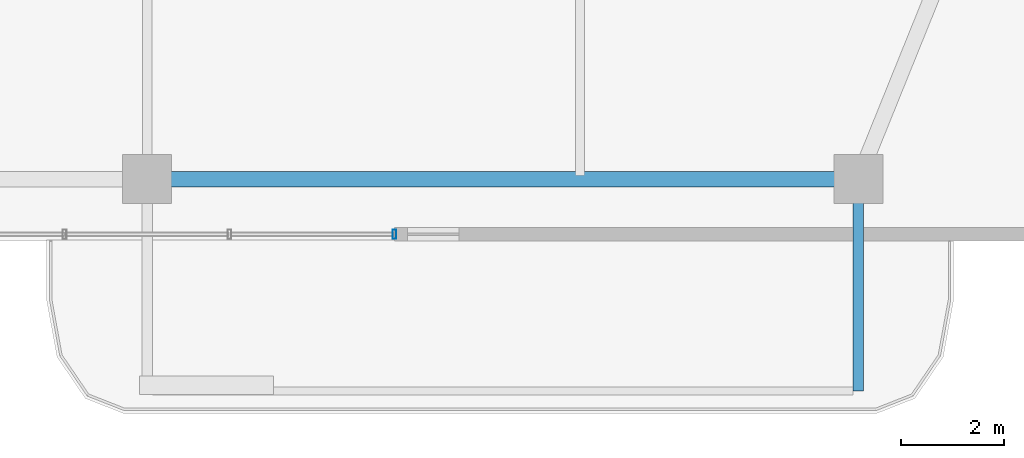
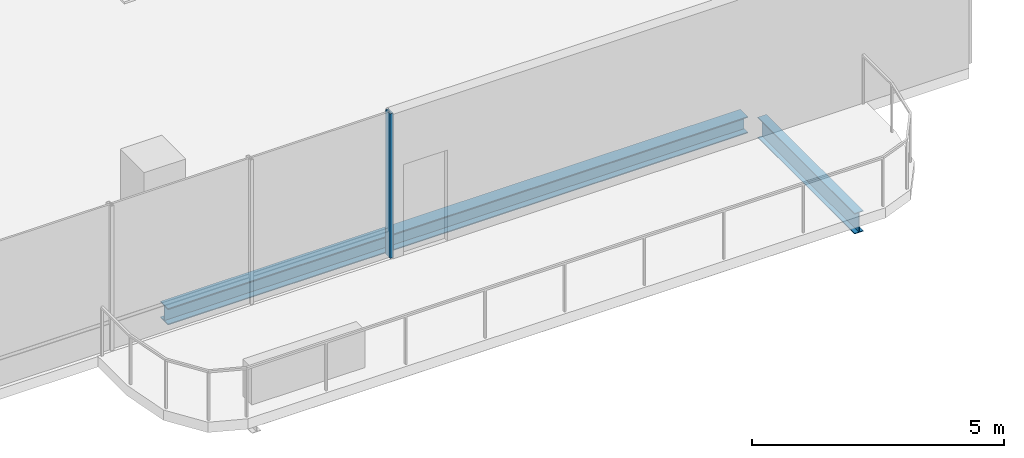
# One storey, part 8 of 24: 2 beams, 1 member, 1 element without a shape of its own.
"""IFC4 building model written with IfcOpenShell, lengths in metres."""

from ifc_helpers import new_model, si_unit, direction, frame, origin, origin_2d, place, context, subcontext, project, spatial, hollow_rectangle, i_section, extrude, material, layer, layer_set, material_profile, profile_set, type_object, element, aggregate, save


model = new_model("IFC4")

# Units and contexts
model_context = context("Model", 3, precision=1e-05, world=origin(), true_north=direction((0.0, 1.0)))
body_context = subcontext(model_context, "Body", "Model", "MODEL_VIEW")
ifc_project = project(units=[si_unit("LENGTHUNIT", "METRE"), si_unit("AREAUNIT", "SQUARE_METRE"), si_unit("VOLUMEUNIT", "CUBIC_METRE"), si_unit("PLANEANGLEUNIT", "RADIAN"), si_unit("MASSUNIT", "GRAM", prefix="KILO")], contexts=[model_context])

# Site, building, storey
site_placement = place(None, origin())
site = spatial("IfcSite", under=ifc_project, at=site_placement, CompositionType="ELEMENT")
building_placement = place(site_placement, origin())
building = spatial("IfcBuilding", under=site, at=building_placement, Name="Belovzor Exchange Tower", CompositionType="ELEMENT")
storey_placement = place(building_placement, frame((0.0, 0.0, 261.60009765625)))
storey = spatial("IfcBuildingStorey", under=building, at=storey_placement, Name="L65", CompositionType="ELEMENT", Elevation=261.60009765625)

# Beam
ifc_material_1 = material(Name="Steel S355", Category="steel")
ifc_material_profile_1 = material_profile(ifc_material_1, i_section(OverallWidth=0.199951171875, OverallDepth=0.5, WebThickness=0.01025390625, FlangeThickness=0.01611328125, at=origin_2d()))
ifc_profile_set_1 = profile_set([ifc_material_profile_1], Name="Steel S355")
beam_type_1 = type_object("IfcBeamType", Name="Planted Balcony Cantilever Beam IPE 500", PredefinedType="BEAM", material=ifc_profile_set_1)
beam_1_placement = place(storey_placement, frame((42.60009765625, 4.839111328125, -0.5), z_axis=(0.0, -1.0, 0.0), x_axis=(1.0, 0.0, 0.0)))
element("IfcBeam", 1, at=beam_1_placement, inside=storey, type_object=beam_type_1, Name="BC-500 Planted Balcony Cantilever Beam IPE 500", PredefinedType="BEAM", context=body_context, shape_type="SweptSolid", body=[
    extrude(i_section(OverallWidth=0.199951171875, OverallDepth=0.5, WebThickness=0.01025390625, FlangeThickness=0.01611328125, at=origin_2d()), origin(), (0.0, 0.0, 1.0), 3.85009765625),
])

# Curtain wall, member
ifc_material_2 = material(Name="Anodised Aluminium Framing", Category="aluminium")
ifc_layer = layer(ifc_material_2, 0.179931640625)
ifc_layer_set = layer_set([ifc_layer], Name="Anodised Aluminium Framing")
curtain_wall_type = type_object("IfcCurtainWallType", Name="Recessed Loggia Low-Iron Triple-Glazed Curtain Wall", PredefinedType="NOTDEFINED", material=ifc_layer_set)
curtain_wall_placement = place(storey_placement, origin())
curtain_wall = element("IfcCurtainWall", 2, at=curtain_wall_placement, inside=storey, type_object=curtain_wall_type, Name="CW3 Recessed Loggia Low-Iron Triple-Glazed Curtain Wall L65", PredefinedType="NOTDEFINED")
ifc_material_3 = material(Name="Steel S355", Category="steel")
ifc_material_profile_2 = material_profile(ifc_material_3, hollow_rectangle(XDim=0.074951171875, YDim=0.179931640625, WallThickness=0.0048828125, at=origin_2d()))
ifc_profile_set_2 = profile_set([ifc_material_profile_2], Name="Steel S355")
member_type = type_object("IfcMemberType", Name="Thermally Broken Curtain Wall Mullion 180x75", PredefinedType="MULLION", material=ifc_profile_set_2)
member_placement = place(storey_placement, frame((33.60009765625, 4.030029296875, 0.0), z_axis=(0.0, 0.0, 1.0), x_axis=(-1.0, 0.0, 0.0)))
member = element("IfcMember", 3, at=member_placement, type_object=member_type, Name="CW-M180 Curtain Wall Mullion 1", PredefinedType="MULLION", context=body_context, shape_type="SweptSolid", body=[
    extrude(hollow_rectangle(XDim=0.074951171875, YDim=0.179931640625, WallThickness=0.0048828125, at=origin_2d()), origin(), (0.0, 0.0, 1.0), 3.5),
])
aggregate(curtain_wall, [member])

# Beam
ifc_material_4 = material(Name="Steel S355", Category="steel")
ifc_material_profile_3 = material_profile(ifc_material_4, i_section(OverallWidth=0.300048828125, OverallDepth=0.39990234375, WebThickness=0.013427734375, FlangeThickness=0.02392578125, at=origin_2d()))
ifc_profile_set_3 = profile_set([ifc_material_profile_3], Name="Steel S355")
beam_type_2 = type_object("IfcBeamType", Name="Zone 5 Primary Girder HEB 400", PredefinedType="BEAM", material=ifc_profile_set_3)
beam_2_placement = place(storey_placement, frame((29.06103515625, 5.10009765625, -0.4501953125), z_axis=(1.0, 0.0, 0.0), x_axis=(0.0, 1.0, 0.0)))
element("IfcBeam", 4, at=beam_2_placement, inside=storey, type_object=beam_type_2, Name="FG-Z5 Zone 5 Primary Girder HEB 400", PredefinedType="BEAM", context=body_context, shape_type="SweptSolid", body=[
    extrude(i_section(OverallWidth=0.300048828125, OverallDepth=0.39990234375, WebThickness=0.013427734375, FlangeThickness=0.02392578125, at=origin_2d()), origin(), (0.0, 0.0, 1.0), 13.278076171875),
])

save(model, "model.ifc")
